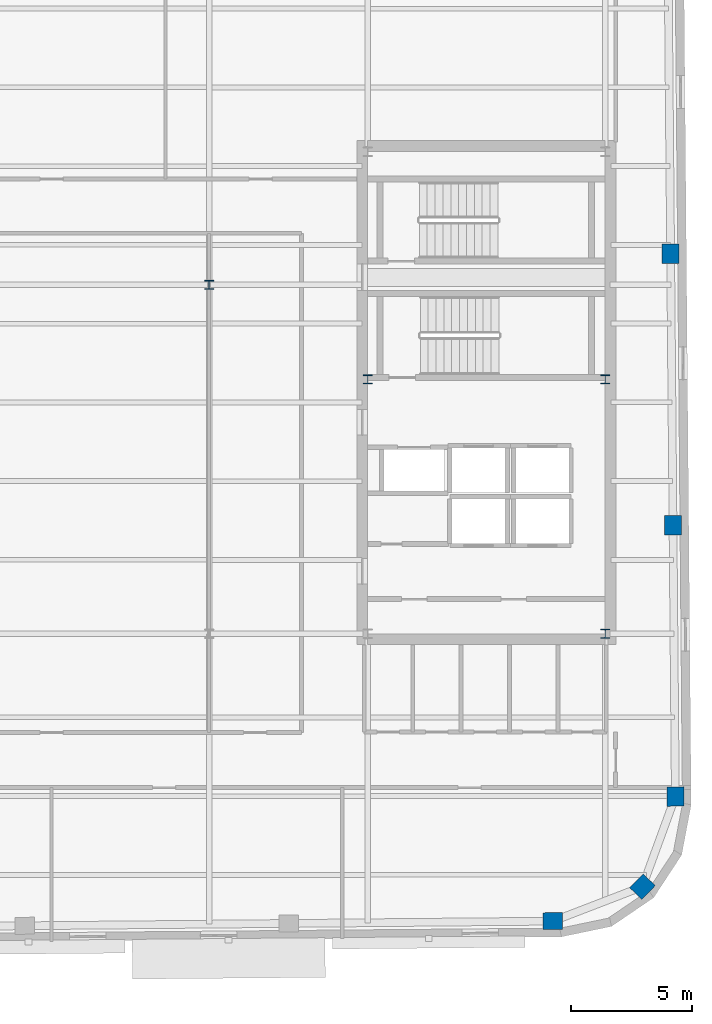
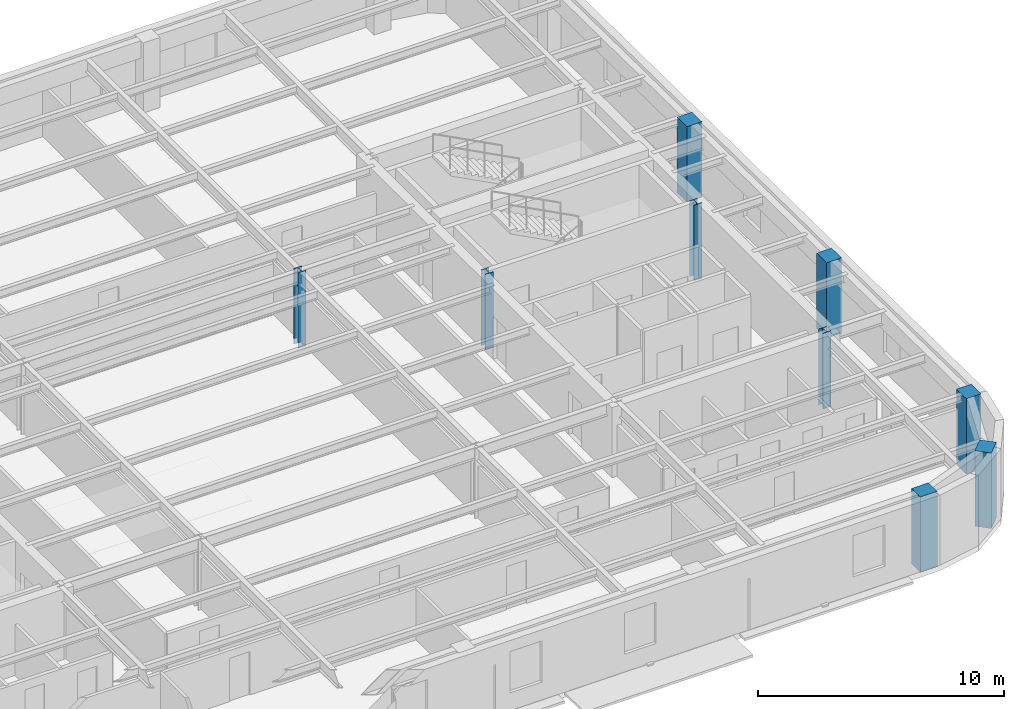
# One storey, part 2 of 13: 9 columns.
"""IFC4 building model written with IfcOpenShell, lengths in metres."""

from ifc_helpers import new_model, si_unit, direction, frame, origin, origin_2d, place, context, subcontext, project, spatial, rectangle, i_section, extrude, material, material_profile, profile_set, type_object, element, save


model = new_model("IFC4")

# Units and contexts
model_context = context("Model", 3, precision=1e-05, world=origin(), true_north=direction((0.0, 1.0)))
body_context = subcontext(model_context, "Body", "Model", "MODEL_VIEW")
ifc_project = project(units=[si_unit("LENGTHUNIT", "METRE"), si_unit("AREAUNIT", "SQUARE_METRE"), si_unit("VOLUMEUNIT", "CUBIC_METRE"), si_unit("PLANEANGLEUNIT", "RADIAN"), si_unit("MASSUNIT", "GRAM", prefix="KILO")], contexts=[model_context])

# Site, building, storey
site_placement = place(None, origin())
site = spatial("IfcSite", under=ifc_project, at=site_placement, CompositionType="ELEMENT")
building_placement = place(site_placement, origin())
building = spatial("IfcBuilding", under=site, at=building_placement, Name="Kolvaren Arena Tower", CompositionType="ELEMENT")
storey_placement = place(building_placement, frame((0.0, 0.0, 278.64990234375)))
storey = spatial("IfcBuildingStorey", under=building, at=storey_placement, Name="L68", CompositionType="ELEMENT", Elevation=278.64990234375)

# Columns
ifc_material_1 = material(Name="Precast concrete C50/60", Category="concrete")
ifc_material_profile_1 = material_profile(ifc_material_1, rectangle(XDim=0.800048828125, YDim=0.699951171875, at=origin_2d()), Name="RC-800x700")
ifc_profile_set_1 = profile_set([ifc_material_profile_1], Name="Precast concrete C50/60")
column_type_1 = type_object("IfcColumnType", Name="EXCOL-Z5", PredefinedType="COLUMN", material=ifc_profile_set_1)
for number, where, z_axis, x_axis, name in (
    (1, (58.190185546875, 7.591064453125, -0.27001953125), (0.0, 0.0, 1.0), (0.999961923064, 0.008726535498, 0.0), "Exoskeleton Perimeter Column 05 (L68)"),
    (2, (61.88671875, 9.0146484375, -0.27001953125), (0.0, 0.0, 1.0), (0.7009092643, 0.713250449154, 0.0), "Exoskeleton Perimeter Column 06 (L68)"),
    (3, (63.24560546875, 12.7353515625, -0.27001953125), (0.0, 0.0, 1.0), (-0.008726535498, 0.999961923064, 0.0), "Exoskeleton Perimeter Column 07 (L68)"),
    (4, (63.147705078125, 23.93505859375, -0.27001953125), (0.0, 0.0, 1.0), (-0.008726535498, 0.999961923064, 0.0), "Exoskeleton Perimeter Column 08 (L68)"),
    (5, (63.050048828125, 35.134521484375, -0.27001953125), (0.0, 0.0, 1.0), (-0.008726535498, 0.999961923064, 0.0), "Exoskeleton Perimeter Column 09 (L68)"),
):
    element("IfcColumn", number, at=place(storey_placement, frame(where, z_axis=z_axis, x_axis=x_axis)), inside=storey, type_object=column_type_1, Name=name, PredefinedType="COLUMN", context=body_context, shape_type="SweptSolid", body=[
        extrude(rectangle(XDim=0.800048828125, YDim=0.699951171875, at=origin_2d()), origin(), (0.0, 0.0, 1.0), 3.75),
    ])
ifc_material_2 = material(Name="Steel ASTM A913 Grade 65", Category="steel")
ifc_material_profile_2 = material_profile(ifc_material_2, i_section(OverallWidth=0.3740234375, OverallDepth=0.3720703125, WebThickness=0.016357421875, FlangeThickness=0.026123046875, FilletRadius=0.02001953125, at=origin_2d()), Name="W360x196")
ifc_profile_set_2 = profile_set([ifc_material_profile_2], Name="Steel ASTM A913 Grade 65")
column_type_2 = type_object("IfcColumnType", Name="SCOL-Z5", PredefinedType="COLUMN", material=ifc_profile_set_2)
for number, where, z_axis, x_axis, name in (
    (6, (60.35009765625, 19.449951171875, -0.27001953125), (0.0, 0.0, 1.0), (1.0, 0.0, 0.0), "Core Boundary Column EC-SE (L68)"),
    (7, (50.550048828125, 29.949951171875, -0.27001953125), (0.0, 0.0, 1.0), (1.0, 0.0, 0.0), "Core Boundary Column EC-MW (L68)"),
    (8, (60.35009765625, 29.949951171875, -0.27001953125), (0.0, 0.0, 1.0), (1.0, 0.0, 0.0), "Core Boundary Column EC-ME (L68)"),
    (9, (44.0, 33.85009765625, -0.27001953125), (0.0, 0.0, 1.0), (1.0, 0.0, 0.0), "Interior Gravity Column TC-NE (L68)"),
):
    element("IfcColumn", number, at=place(storey_placement, frame(where, z_axis=z_axis, x_axis=x_axis)), inside=storey, type_object=column_type_2, Name=name, PredefinedType="COLUMN", context=body_context, shape_type="SweptSolid", body=[
        extrude(i_section(OverallWidth=0.3740234375, OverallDepth=0.3720703125, WebThickness=0.016357421875, FlangeThickness=0.026123046875, FilletRadius=0.02001953125, at=origin_2d()), origin(), (0.0, 0.0, 1.0), 3.75),
    ])

save(model, "model.ifc")
